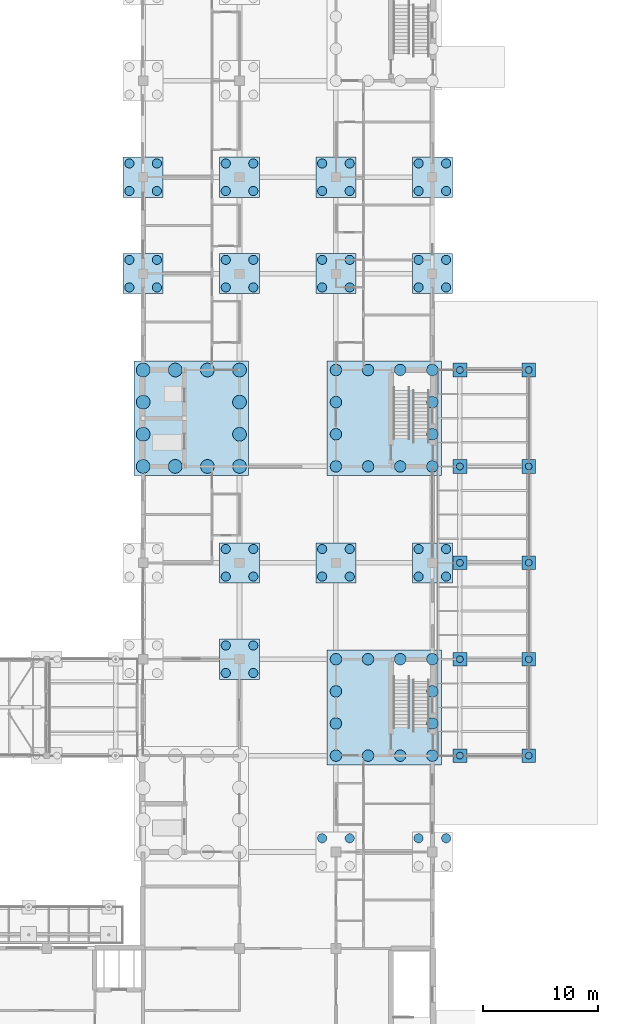
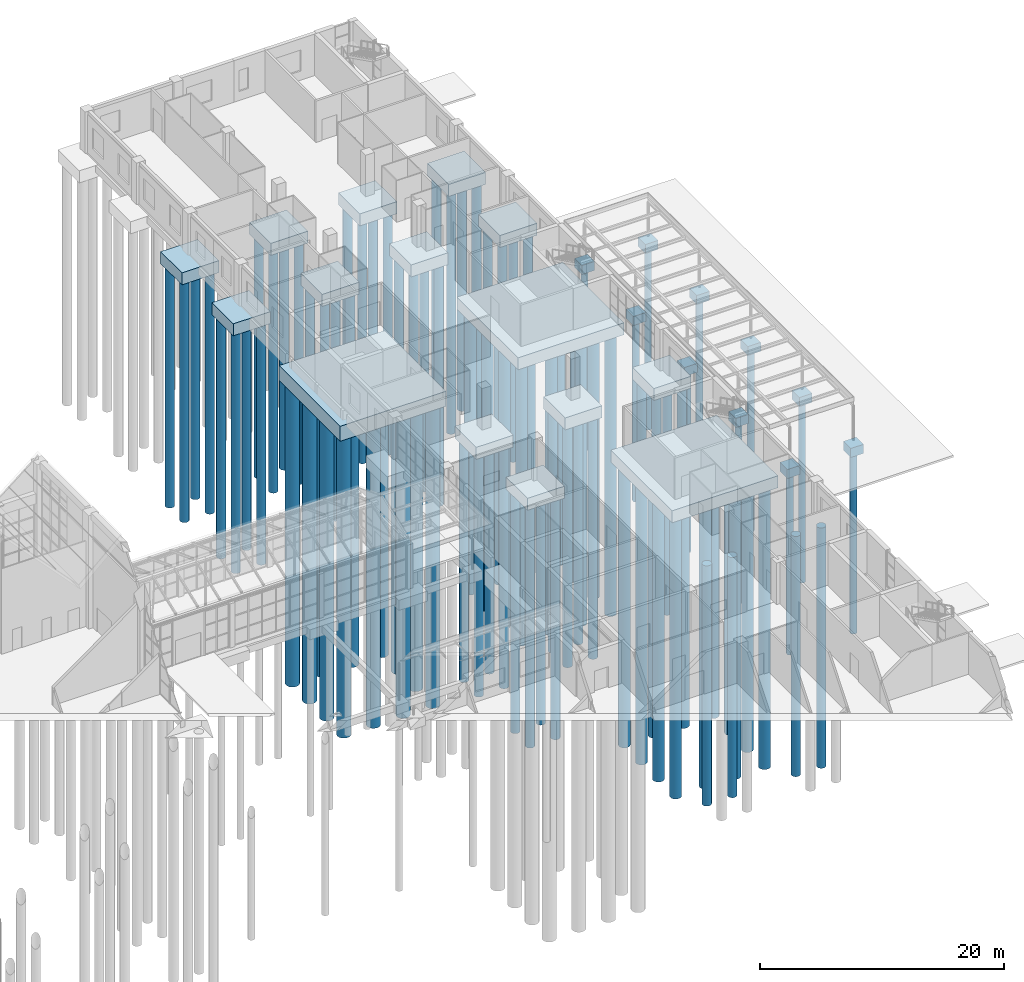
# One storey, part 3 of 138: 98 piles, 25 footings.
"""IFC4 building model written with IfcOpenShell, lengths in metres."""

import ifcopenshell
import ifcopenshell.guid

model = None  # the IFC model being written
_history = None  # IfcOwnerHistory: only IFC2X3 demands one
_inside = {}  # id of a spatial element -> (the spatial element, [elements in it])
_under = {}  # id of a project, library or spatial element -> (it, [spatial elements below it])
_declared = {}  # id of a project -> (the project, [libraries it declares])
_typed = {}  # id of a type object -> (the type object, [elements of that type])
_made_of = {}  # id of a material, layer set ... -> (it, [elements and type objects made of it])


def new_model(schema):
    """Start an empty IFC model of exactly this schema.

    Asked for "IFC4X3", IfcOpenShell would pick the latest addendum, in which some entities
    have other attributes; the version numbers below select the first issue.
    IFC2X3 requires an IfcOwnerHistory on every rooted entity: one is made here for all.
    """
    global model, _history
    if schema == "IFC4X3":
        model = ifcopenshell.file(schema_version=(4, 3, 0, 0))
    else:
        model = ifcopenshell.file(schema=schema)
    _inside.clear()
    _under.clear()
    _declared.clear()
    _typed.clear()
    _made_of.clear()
    _history = None
    if model.schema == "IFC2X3":
        org = make("IfcOrganization", Name="unknown")
        user = make(
            "IfcPersonAndOrganization",
            ThePerson=make("IfcPerson", FamilyName="unknown"),
            TheOrganization=org,
        )
        app = make(
            "IfcApplication",
            ApplicationDeveloper=org,
            Version="unknown",
            ApplicationFullName="unknown",
            ApplicationIdentifier="unknown",
        )
        _history = make(
            "IfcOwnerHistory",
            OwningUser=user,
            OwningApplication=app,
            ChangeAction="ADDED",
            CreationDate=0,
        )
    return model


def make(cls, **values):
    """One entity of the class cls with the attributes given. An attribute that is None is left unset."""
    return model.create_entity(
        cls, **{name: value for name, value in values.items() if value is not None}
    )


def rooted(cls, **values):
    """An entity with a GlobalId (a new one), such as an element, a storey or a relation."""
    return make(cls, GlobalId=ifcopenshell.guid.new(), OwnerHistory=_history, **values)


def si_unit(unit_type, name, prefix=None):
    """IfcSIUnit, for example si_unit("LENGTHUNIT", "METRE", prefix="MILLI")."""
    return make("IfcSIUnit", UnitType=unit_type, Prefix=prefix, Name=name)


def assignment(units):
    """IfcUnitAssignment: the units of a project."""
    return None if units is None else make("IfcUnitAssignment", Units=units)


def point(xyz):
    """IfcCartesianPoint."""
    return None if xyz is None else make("IfcCartesianPoint", Coordinates=xyz)


def direction(xyz):
    """IfcDirection."""
    return None if xyz is None else make("IfcDirection", DirectionRatios=xyz)


def frame(location, z_axis=None, x_axis=None):
    """IfcAxis2Placement3D, a coordinate frame: its origin and axes. An axis left out is left unset."""
    return make(
        "IfcAxis2Placement3D",
        Location=point(location),
        Axis=direction(z_axis),
        RefDirection=direction(x_axis),
    )


def frame_2d(location, x_axis=None):
    """IfcAxis2Placement2D, a coordinate frame in the plane: its origin and x axis."""
    return make(
        "IfcAxis2Placement2D", Location=point(location), RefDirection=direction(x_axis)
    )


def origin():
    """The frame at (0, 0, 0) with its axes left unset."""
    return frame((0.0, 0.0, 0.0))


def origin_2d():
    """The frame at (0, 0) in the plane with its x axis left unset."""
    return frame_2d((0.0, 0.0))


def place(relative_to, where):
    """IfcLocalPlacement: puts the frame where relative to a parent placement (None: the world)."""
    return make(
        "IfcLocalPlacement", PlacementRelTo=relative_to, RelativePlacement=where
    )


def context(
    kind, dimensions, precision=None, world=None, true_north=None, identifier=None
):
    """IfcGeometricRepresentationContext, for example the 3D "Model" context."""
    return make(
        "IfcGeometricRepresentationContext",
        ContextIdentifier=identifier,
        ContextType=kind,
        CoordinateSpaceDimension=dimensions,
        Precision=precision,
        WorldCoordinateSystem=world,
        TrueNorth=true_north,
    )


def subcontext(parent, identifier, kind, view, scale=None):
    """IfcGeometricRepresentationSubContext, for example "Body" below "Model"."""
    return make(
        "IfcGeometricRepresentationSubContext",
        ContextIdentifier=identifier,
        ContextType=kind,
        ParentContext=parent,
        TargetScale=scale,
        TargetView=view,
    )


def project(units=None, contexts=None):
    """IfcProject with its units and contexts."""
    return rooted(
        "IfcProject",
        Name="project",
        RepresentationContexts=contexts,
        UnitsInContext=assignment(units),
    )


def spatial(cls, under=None, at=None, **own):
    """A site, building, storey or space (cls), placed at a placement, below another one or the project."""
    s = rooted(cls, ObjectPlacement=at, **own)
    if under is not None:
        _under.setdefault(under.id(), (under, []))[1].append(s)
    return s


def profile(cls, at=None, kind="AREA", **sizes):
    """A parametric profile (cls). Its sizes go by their IFC names, for example OverallWidth=200.0."""
    return make(cls, ProfileType=kind, Position=at, **sizes)


def rectangle(**sizes):
    """IfcRectangleProfileDef."""
    return profile("IfcRectangleProfileDef", **sizes)


def circle(**sizes):
    """IfcCircleProfileDef."""
    return profile("IfcCircleProfileDef", **sizes)


def extrude(swept, where, along, depth):
    """IfcExtrudedAreaSolid: the profile swept, set in the frame where, extruded along a direction by depth."""
    return make(
        "IfcExtrudedAreaSolid",
        SweptArea=swept,
        Position=where,
        ExtrudedDirection=direction(along),
        Depth=depth,
    )


def shape(context_of_items, identifier, shape_type, items):
    """IfcShapeRepresentation: the items that make up one representation, for example the "Body"."""
    return make(
        "IfcShapeRepresentation",
        ContextOfItems=context_of_items,
        RepresentationIdentifier=identifier,
        RepresentationType=shape_type,
        Items=items,
    )


def material(Name=None, Category=None):
    """IfcMaterial."""
    return make("IfcMaterial", Name=Name, Category=Category)


def material_profile(
    of_material, cross_section, Name=None, Category=None, Priority=None
):
    """IfcMaterialProfile: a cross section and its material."""
    return make(
        "IfcMaterialProfile",
        Name=Name,
        Material=of_material,
        Profile=cross_section,
        Priority=Priority,
        Category=Category,
    )


def profile_set(profiles, Name=None, composite=None):
    """IfcMaterialProfileSet."""
    return make(
        "IfcMaterialProfileSet",
        Name=Name,
        MaterialProfiles=profiles,
        CompositeProfile=composite,
    )


def made_of(thing, what):
    """Note that an element or type object is made of a material, layer set ...; save() writes the relation."""
    if what is not None:
        _made_of.setdefault(what.id(), (what, []))[1].append(thing)
    return thing


def type_object(cls, material=None, **own):
    """A type object (cls), such as IfcWallType, which elements share."""
    return made_of(rooted(cls, **own), material)


def element(
    cls,
    number,
    at=None,
    inside=None,
    cuts=None,
    type_object=None,
    material=None,
    context=None,
    identifier="Body",
    shape_type=None,
    held_by="IfcProductDefinitionShape",
    body=None,
    shapes=None,
    **own,
):
    """One element of the class cls, such as IfcWall. Its Tag is "e" and its number.

    at: its placement. inside: the storey or other place that contains it. cuts: it is an
    opening in that element (IfcRelVoidsElement). A single representation is given by context,
    identifier, shape_type and body (its items); several are given by shapes. held_by: the class
    of the entity that holds the representations. save() writes the other relations.
    """
    e = rooted(cls, Tag="e%d" % number, ObjectPlacement=at, **own)
    if body is not None:
        shapes = [shape(context, identifier, shape_type, body)]
    if shapes is not None:
        e.Representation = make(held_by, Representations=shapes)
    if inside is not None:
        _inside.setdefault(inside.id(), (inside, []))[1].append(e)
    if cuts is not None:
        rooted(
            "IfcRelVoidsElement", RelatingBuildingElement=cuts, RelatedOpeningElement=e
        )
    if type_object is not None:
        _typed.setdefault(type_object.id(), (type_object, []))[1].append(e)
    return made_of(e, material)


def aggregate(whole, parts):
    """IfcRelAggregates: a whole, such as a stair, and the parts it consists of."""
    return rooted("IfcRelAggregates", RelatingObject=whole, RelatedObjects=parts)


def save(model, path):
    """Write the relations noted so far, then the file.

    IfcRelAggregates (storeys below a building ...), IfcRelContainedInSpatialStructure (elements
    in a storey), IfcRelDefinesByType, IfcRelAssociatesMaterial and IfcRelDeclares: one each for
    every whole, place, type object, material and project.
    """
    for whole, parts in _under.values():
        aggregate(whole, parts)
    for where, things in _inside.values():
        rooted(
            "IfcRelContainedInSpatialStructure",
            RelatedElements=things,
            RelatingStructure=where,
        )
    for kind, things in _typed.values():
        rooted("IfcRelDefinesByType", RelatedObjects=things, RelatingType=kind)
    for what, things in _made_of.values():
        rooted("IfcRelAssociatesMaterial", RelatedObjects=things, RelatingMaterial=what)
    for by, libraries in _declared.values():
        rooted("IfcRelDeclares", RelatingContext=by, RelatedDefinitions=libraries)
    model.write(path)


model = new_model("IFC4")

# Units and contexts
model_context = context("Model", 3, precision=1e-05, world=origin(), true_north=direction((0.0, 1.0)))
body_context = subcontext(model_context, "Body", "Model", "MODEL_VIEW")
ifc_project = project(units=[si_unit("LENGTHUNIT", "METRE"), si_unit("AREAUNIT", "SQUARE_METRE"), si_unit("VOLUMEUNIT", "CUBIC_METRE"), si_unit("PLANEANGLEUNIT", "RADIAN"), si_unit("MASSUNIT", "GRAM", prefix="KILO")], contexts=[model_context])

# Site, building, storey
site_placement = place(None, origin())
site = spatial("IfcSite", under=ifc_project, at=site_placement, CompositionType="ELEMENT")
building_placement = place(site_placement, origin())
building = spatial("IfcBuilding", under=site, at=building_placement, Name="Yavir Park General Hospital", CompositionType="ELEMENT")
storey_placement = place(building_placement, origin())
storey = spatial("IfcBuildingStorey", under=building, at=storey_placement, Name="L00", CompositionType="ELEMENT", Elevation=0.0)

# Piles
ifc_material_1 = material(Name="Concrete C35/45", Category="concrete")
ifc_material_profile_1 = material_profile(ifc_material_1, circle(Radius=0.5, at=origin_2d()), Name="D1000")
ifc_profile_set_1 = profile_set([ifc_material_profile_1], Name="Concrete C35/45")
pile_type_1 = type_object("IfcPileType", Name="BORED PILE D1000", PredefinedType="BORED", material=ifc_profile_set_1)
for number, where, z_axis, x_axis, name in (
    (1, (159.60009765625, 50.39990234375, -1.64990234375), (0.0, 0.0, -1.0), (1.0, 0.0, 0.0), "P:L00:ES1:00"),
    (2, (162.39990234375, 50.39990234375, -1.64990234375), (0.0, 0.0, -1.0), (1.0, 0.0, 0.0), "P:L00:ES1:01"),
    (3, (165.199951171875, 50.39990234375, -1.64990234375), (0.0, 0.0, -1.0), (1.0, 0.0, 0.0), "P:L00:ES1:02"),
    (4, (168.0, 50.39990234375, -1.64990234375), (0.0, 0.0, -1.0), (1.0, 0.0, 0.0), "P:L00:ES1:03"),
    (5, (159.60009765625, 53.199951171875, -1.64990234375), (0.0, 0.0, -1.0), (1.0, 0.0, 0.0), "P:L00:ES1:04"),
    (6, (168.0, 53.199951171875, -1.64990234375), (0.0, 0.0, -1.0), (1.0, 0.0, 0.0), "P:L00:ES1:05"),
    (7, (159.60009765625, 56.0, -1.64990234375), (0.0, 0.0, -1.0), (1.0, 0.0, 0.0), "P:L00:ES1:06"),
    (8, (168.0, 56.0, -1.64990234375), (0.0, 0.0, -1.0), (1.0, 0.0, 0.0), "P:L00:ES1:07"),
    (9, (159.60009765625, 58.800048828125, -1.64990234375), (0.0, 0.0, -1.0), (1.0, 0.0, 0.0), "P:L00:ES1:08"),
    (10, (162.39990234375, 58.800048828125, -1.64990234375), (0.0, 0.0, -1.0), (1.0, 0.0, 0.0), "P:L00:ES1:09"),
    (11, (165.199951171875, 58.800048828125, -1.64990234375), (0.0, 0.0, -1.0), (1.0, 0.0, 0.0), "P:L00:ES1:10"),
    (12, (168.0, 58.800048828125, -1.64990234375), (0.0, 0.0, -1.0), (1.0, 0.0, 0.0), "P:L00:ES1:11"),
    (13, (159.60009765625, 75.60009765625, -1.64990234375), (0.0, 0.0, -1.0), (1.0, 0.0, 0.0), "P:L00:ES2:00"),
    (14, (162.39990234375, 75.60009765625, -1.64990234375), (0.0, 0.0, -1.0), (1.0, 0.0, 0.0), "P:L00:ES2:01"),
    (15, (165.199951171875, 75.60009765625, -1.64990234375), (0.0, 0.0, -1.0), (1.0, 0.0, 0.0), "P:L00:ES2:02"),
    (16, (168.0, 75.60009765625, -1.64990234375), (0.0, 0.0, -1.0), (1.0, 0.0, 0.0), "P:L00:ES2:03"),
    (17, (159.60009765625, 78.39990234375, -1.64990234375), (0.0, 0.0, -1.0), (1.0, 0.0, 0.0), "P:L00:ES2:04"),
    (18, (168.0, 78.39990234375, -1.64990234375), (0.0, 0.0, -1.0), (1.0, 0.0, 0.0), "P:L00:ES2:05"),
    (19, (159.60009765625, 81.199951171875, -1.64990234375), (0.0, 0.0, -1.0), (1.0, 0.0, 0.0), "P:L00:ES2:06"),
    (20, (168.0, 81.199951171875, -1.64990234375), (0.0, 0.0, -1.0), (1.0, 0.0, 0.0), "P:L00:ES2:07"),
    (21, (159.60009765625, 84.0, -1.64990234375), (0.0, 0.0, -1.0), (1.0, 0.0, 0.0), "P:L00:ES2:08"),
    (22, (162.39990234375, 84.0, -1.64990234375), (0.0, 0.0, -1.0), (1.0, 0.0, 0.0), "P:L00:ES2:09"),
    (23, (165.199951171875, 84.0, -1.64990234375), (0.0, 0.0, -1.0), (1.0, 0.0, 0.0), "P:L00:ES2:10"),
    (24, (168.0, 84.0, -1.64990234375), (0.0, 0.0, -1.0), (1.0, 0.0, 0.0), "P:L00:ES2:11"),
):
    element("IfcPile", number, at=place(storey_placement, frame(where, z_axis=z_axis, x_axis=x_axis)), inside=storey, type_object=pile_type_1, Name=name, PredefinedType="BORED", context=body_context, shape_type="SweptSolid", body=[
        extrude(circle(Radius=0.5, at=origin_2d()), origin(), (0.0, 0.0, 1.0), 28.0),
    ])
ifc_material_2 = material(Name="Concrete C35/45", Category="concrete")
ifc_material_profile_2 = material_profile(ifc_material_2, circle(Radius=0.60009765625, at=origin_2d()), Name="D1200")
ifc_profile_set_2 = profile_set([ifc_material_profile_2], Name="Concrete C35/45")
pile_type_2 = type_object("IfcPileType", Name="BORED PILE D1200", PredefinedType="BORED", material=ifc_profile_set_2)
for number, where, z_axis, x_axis, name in (
    (25, (142.800048828125, 75.60009765625, -2.89990234375), (0.0, 0.0, -1.0), (1.0, 0.0, 0.0), "P:L00:HL:00"),
    (26, (145.60009765625, 75.60009765625, -2.89990234375), (0.0, 0.0, -1.0), (1.0, 0.0, 0.0), "P:L00:HL:01"),
    (27, (148.39990234375, 75.60009765625, -2.89990234375), (0.0, 0.0, -1.0), (1.0, 0.0, 0.0), "P:L00:HL:02"),
    (28, (151.199951171875, 75.60009765625, -2.89990234375), (0.0, 0.0, -1.0), (1.0, 0.0, 0.0), "P:L00:HL:03"),
    (29, (142.800048828125, 78.39990234375, -2.89990234375), (0.0, 0.0, -1.0), (1.0, 0.0, 0.0), "P:L00:HL:04"),
    (30, (151.199951171875, 78.39990234375, -2.89990234375), (0.0, 0.0, -1.0), (1.0, 0.0, 0.0), "P:L00:HL:05"),
    (31, (142.800048828125, 81.199951171875, -2.89990234375), (0.0, 0.0, -1.0), (1.0, 0.0, 0.0), "P:L00:HL:06"),
    (32, (151.199951171875, 81.199951171875, -2.89990234375), (0.0, 0.0, -1.0), (1.0, 0.0, 0.0), "P:L00:HL:07"),
    (33, (142.800048828125, 84.0, -2.89990234375), (0.0, 0.0, -1.0), (1.0, 0.0, 0.0), "P:L00:HL:08"),
    (34, (145.60009765625, 84.0, -2.89990234375), (0.0, 0.0, -1.0), (1.0, 0.0, 0.0), "P:L00:HL:09"),
    (35, (148.39990234375, 84.0, -2.89990234375), (0.0, 0.0, -1.0), (1.0, 0.0, 0.0), "P:L00:HL:10"),
    (36, (151.199951171875, 84.0, -2.89990234375), (0.0, 0.0, -1.0), (1.0, 0.0, 0.0), "P:L00:HL:11"),
):
    element("IfcPile", number, at=place(storey_placement, frame(where, z_axis=z_axis, x_axis=x_axis)), inside=storey, type_object=pile_type_2, Name=name, PredefinedType="BORED", context=body_context, shape_type="SweptSolid", body=[
        extrude(circle(Radius=0.60009765625, at=origin_2d()), origin(), (0.0, 0.0, 1.0), 30.0),
    ])
ifc_material_3 = material(Name="Concrete C35/45", Category="concrete")
ifc_material_profile_3 = material_profile(ifc_material_3, circle(Radius=0.300048828125, at=origin_2d()), Name="D600")
ifc_profile_set_3 = profile_set([ifc_material_profile_3], Name="Concrete C35/45")
pile_type_3 = type_object("IfcPileType", Name="BORED PILE D600", PredefinedType="BORED", material=ifc_profile_set_3)
for number, where, z_axis, x_axis, name in (
    (37, (170.39990234375, 50.39990234375, -1.199951171875), (0.0, 0.0, -1.0), (1.0, 0.0, 0.0), "P:AMB:C00"),
    (38, (170.39990234375, 58.800048828125, -1.199951171875), (0.0, 0.0, -1.0), (1.0, 0.0, 0.0), "P:AMB:C01"),
    (39, (170.39990234375, 67.199951171875, -1.199951171875), (0.0, 0.0, -1.0), (1.0, 0.0, 0.0), "P:AMB:C02"),
    (40, (170.39990234375, 75.60009765625, -1.199951171875), (0.0, 0.0, -1.0), (1.0, 0.0, 0.0), "P:AMB:C03"),
    (41, (170.39990234375, 84.0, -1.199951171875), (0.0, 0.0, -1.0), (1.0, 0.0, 0.0), "P:AMB:C04"),
    (42, (176.39990234375, 50.39990234375, -1.199951171875), (0.0, 0.0, -1.0), (1.0, 0.0, 0.0), "P:AMB:C10"),
    (43, (176.39990234375, 58.800048828125, -1.199951171875), (0.0, 0.0, -1.0), (1.0, 0.0, 0.0), "P:AMB:C11"),
    (44, (176.39990234375, 67.199951171875, -1.199951171875), (0.0, 0.0, -1.0), (1.0, 0.0, 0.0), "P:AMB:C12"),
    (45, (176.39990234375, 75.60009765625, -1.199951171875), (0.0, 0.0, -1.0), (1.0, 0.0, 0.0), "P:AMB:C13"),
    (46, (176.39990234375, 84.0, -1.199951171875), (0.0, 0.0, -1.0), (1.0, 0.0, 0.0), "P:AMB:C14"),
):
    element("IfcPile", number, at=place(storey_placement, frame(where, z_axis=z_axis, x_axis=x_axis)), inside=storey, type_object=pile_type_3, Name=name, PredefinedType="BORED", context=body_context, shape_type="SweptSolid", body=[
        extrude(circle(Radius=0.300048828125, at=origin_2d()), origin(), (0.0, 0.0, 1.0), 18.0),
    ])
ifc_material_4 = material(Name="Concrete C35/45", Category="concrete")
ifc_material_profile_4 = material_profile(ifc_material_4, circle(Radius=0.39990234375, at=origin_2d()), Name="D800")
ifc_profile_set_4 = profile_set([ifc_material_profile_4], Name="Concrete C35/45")
pile_type_4 = type_object("IfcPileType", Name="BORED PILE D800", PredefinedType="BORED", material=ifc_profile_set_4)
for number, where, z_axis, x_axis, name in (
    (47, (158.39990234375, 43.199951171875, -1.64990234375), (0.0, 0.0, -1.0), (1.0, 0.0, 0.0), "P:L00:20F:2"),
    (48, (160.800048828125, 43.199951171875, -1.64990234375), (0.0, 0.0, -1.0), (1.0, 0.0, 0.0), "P:L00:20F:3"),
    (49, (166.800048828125, 43.199951171875, -1.64990234375), (0.0, 0.0, -1.0), (1.0, 0.0, 0.0), "P:L00:21F:2"),
    (50, (169.199951171875, 43.199951171875, -1.64990234375), (0.0, 0.0, -1.0), (1.0, 0.0, 0.0), "P:L00:21F:3"),
    (51, (150.0, 57.60009765625, -1.64990234375), (0.0, 0.0, -1.0), (1.0, 0.0, 0.0), "P:L00:19H:0"),
    (52, (152.39990234375, 57.60009765625, -1.64990234375), (0.0, 0.0, -1.0), (1.0, 0.0, 0.0), "P:L00:19H:1"),
    (53, (150.0, 60.0, -1.64990234375), (0.0, 0.0, -1.0), (1.0, 0.0, 0.0), "P:L00:19H:2"),
    (54, (152.39990234375, 60.0, -1.64990234375), (0.0, 0.0, -1.0), (1.0, 0.0, 0.0), "P:L00:19H:3"),
    (55, (150.0, 66.0, -1.64990234375), (0.0, 0.0, -1.0), (1.0, 0.0, 0.0), "P:L00:19J:0"),
    (56, (152.39990234375, 66.0, -1.64990234375), (0.0, 0.0, -1.0), (1.0, 0.0, 0.0), "P:L00:19J:1"),
    (57, (150.0, 68.39990234375, -1.64990234375), (0.0, 0.0, -1.0), (1.0, 0.0, 0.0), "P:L00:19J:2"),
    (58, (152.39990234375, 68.39990234375, -1.64990234375), (0.0, 0.0, -1.0), (1.0, 0.0, 0.0), "P:L00:19J:3"),
    (59, (158.39990234375, 66.0, -1.64990234375), (0.0, 0.0, -1.0), (1.0, 0.0, 0.0), "P:L00:20J:0"),
    (60, (160.800048828125, 66.0, -1.64990234375), (0.0, 0.0, -1.0), (1.0, 0.0, 0.0), "P:L00:20J:1"),
    (61, (158.39990234375, 68.39990234375, -1.64990234375), (0.0, 0.0, -1.0), (1.0, 0.0, 0.0), "P:L00:20J:2"),
    (62, (160.800048828125, 68.39990234375, -1.64990234375), (0.0, 0.0, -1.0), (1.0, 0.0, 0.0), "P:L00:20J:3"),
    (63, (166.800048828125, 66.0, -1.64990234375), (0.0, 0.0, -1.0), (1.0, 0.0, 0.0), "P:L00:21J:0"),
    (64, (169.199951171875, 66.0, -1.64990234375), (0.0, 0.0, -1.0), (1.0, 0.0, 0.0), "P:L00:21J:1"),
    (65, (166.800048828125, 68.39990234375, -1.64990234375), (0.0, 0.0, -1.0), (1.0, 0.0, 0.0), "P:L00:21J:2"),
    (66, (169.199951171875, 68.39990234375, -1.64990234375), (0.0, 0.0, -1.0), (1.0, 0.0, 0.0), "P:L00:21J:3"),
    (67, (141.60009765625, 91.199951171875, -1.64990234375), (0.0, 0.0, -1.0), (1.0, 0.0, 0.0), "P:L00:18M:0"),
    (68, (144.0, 91.199951171875, -1.64990234375), (0.0, 0.0, -1.0), (1.0, 0.0, 0.0), "P:L00:18M:1"),
    (69, (141.60009765625, 93.60009765625, -1.64990234375), (0.0, 0.0, -1.0), (1.0, 0.0, 0.0), "P:L00:18M:2"),
    (70, (144.0, 93.60009765625, -1.64990234375), (0.0, 0.0, -1.0), (1.0, 0.0, 0.0), "P:L00:18M:3"),
    (71, (150.0, 91.199951171875, -1.64990234375), (0.0, 0.0, -1.0), (1.0, 0.0, 0.0), "P:L00:19M:0"),
    (72, (152.39990234375, 91.199951171875, -1.64990234375), (0.0, 0.0, -1.0), (1.0, 0.0, 0.0), "P:L00:19M:1"),
    (73, (150.0, 93.60009765625, -1.64990234375), (0.0, 0.0, -1.0), (1.0, 0.0, 0.0), "P:L00:19M:2"),
    (74, (152.39990234375, 93.60009765625, -1.64990234375), (0.0, 0.0, -1.0), (1.0, 0.0, 0.0), "P:L00:19M:3"),
    (75, (158.39990234375, 91.199951171875, -1.64990234375), (0.0, 0.0, -1.0), (1.0, 0.0, 0.0), "P:L00:20M:0"),
    (76, (160.800048828125, 91.199951171875, -1.64990234375), (0.0, 0.0, -1.0), (1.0, 0.0, 0.0), "P:L00:20M:1"),
    (77, (158.39990234375, 93.60009765625, -1.64990234375), (0.0, 0.0, -1.0), (1.0, 0.0, 0.0), "P:L00:20M:2"),
    (78, (160.800048828125, 93.60009765625, -1.64990234375), (0.0, 0.0, -1.0), (1.0, 0.0, 0.0), "P:L00:20M:3"),
    (79, (166.800048828125, 91.199951171875, -1.64990234375), (0.0, 0.0, -1.0), (1.0, 0.0, 0.0), "P:L00:21M:0"),
    (80, (169.199951171875, 91.199951171875, -1.64990234375), (0.0, 0.0, -1.0), (1.0, 0.0, 0.0), "P:L00:21M:1"),
    (81, (166.800048828125, 93.60009765625, -1.64990234375), (0.0, 0.0, -1.0), (1.0, 0.0, 0.0), "P:L00:21M:2"),
    (82, (169.199951171875, 93.60009765625, -1.64990234375), (0.0, 0.0, -1.0), (1.0, 0.0, 0.0), "P:L00:21M:3"),
    (83, (141.60009765625, 99.60009765625, -1.64990234375), (0.0, 0.0, -1.0), (1.0, 0.0, 0.0), "P:L00:18N:0"),
    (84, (144.0, 99.60009765625, -1.64990234375), (0.0, 0.0, -1.0), (1.0, 0.0, 0.0), "P:L00:18N:1"),
    (85, (141.60009765625, 102.0, -1.64990234375), (0.0, 0.0, -1.0), (1.0, 0.0, 0.0), "P:L00:18N:2"),
    (86, (144.0, 102.0, -1.64990234375), (0.0, 0.0, -1.0), (1.0, 0.0, 0.0), "P:L00:18N:3"),
    (87, (150.0, 99.60009765625, -1.64990234375), (0.0, 0.0, -1.0), (1.0, 0.0, 0.0), "P:L00:19N:0"),
    (88, (152.39990234375, 99.60009765625, -1.64990234375), (0.0, 0.0, -1.0), (1.0, 0.0, 0.0), "P:L00:19N:1"),
    (89, (150.0, 102.0, -1.64990234375), (0.0, 0.0, -1.0), (1.0, 0.0, 0.0), "P:L00:19N:2"),
    (90, (152.39990234375, 102.0, -1.64990234375), (0.0, 0.0, -1.0), (1.0, 0.0, 0.0), "P:L00:19N:3"),
    (91, (158.39990234375, 99.60009765625, -1.64990234375), (0.0, 0.0, -1.0), (1.0, 0.0, 0.0), "P:L00:20N:0"),
    (92, (160.800048828125, 99.60009765625, -1.64990234375), (0.0, 0.0, -1.0), (1.0, 0.0, 0.0), "P:L00:20N:1"),
    (93, (158.39990234375, 102.0, -1.64990234375), (0.0, 0.0, -1.0), (1.0, 0.0, 0.0), "P:L00:20N:2"),
    (94, (160.800048828125, 102.0, -1.64990234375), (0.0, 0.0, -1.0), (1.0, 0.0, 0.0), "P:L00:20N:3"),
    (95, (166.800048828125, 99.60009765625, -1.64990234375), (0.0, 0.0, -1.0), (1.0, 0.0, 0.0), "P:L00:21N:0"),
    (96, (169.199951171875, 99.60009765625, -1.64990234375), (0.0, 0.0, -1.0), (1.0, 0.0, 0.0), "P:L00:21N:1"),
    (97, (166.800048828125, 102.0, -1.64990234375), (0.0, 0.0, -1.0), (1.0, 0.0, 0.0), "P:L00:21N:2"),
    (98, (169.199951171875, 102.0, -1.64990234375), (0.0, 0.0, -1.0), (1.0, 0.0, 0.0), "P:L00:21N:3"),
):
    element("IfcPile", number, at=place(storey_placement, frame(where, z_axis=z_axis, x_axis=x_axis)), inside=storey, type_object=pile_type_4, Name=name, PredefinedType="BORED", context=body_context, shape_type="SweptSolid", body=[
        extrude(circle(Radius=0.39990234375, at=origin_2d()), origin(), (0.0, 0.0, 1.0), 24.0),
    ])

# Footings
ifc_material_5 = material(Name="Concrete C35/45", Category="concrete")
footing_type_1 = type_object("IfcFootingType", Name="PILE CAP COLUMN 3500x3500x1200", PredefinedType="PILE_CAP", material=ifc_material_5)
for number, where, z_axis, x_axis, name in (
    (99, (151.199951171875, 58.800048828125, -1.64990234375), (0.0, 0.0, 1.0), (1.0, 0.0, 0.0), "F:L00:19H"),
    (100, (151.199951171875, 67.199951171875, -1.64990234375), (0.0, 0.0, 1.0), (1.0, 0.0, 0.0), "F:L00:19J"),
    (101, (159.60009765625, 67.199951171875, -1.64990234375), (0.0, 0.0, 1.0), (1.0, 0.0, 0.0), "F:L00:20J"),
    (102, (168.0, 67.199951171875, -1.64990234375), (0.0, 0.0, 1.0), (1.0, 0.0, 0.0), "F:L00:21J"),
    (103, (142.800048828125, 92.39990234375, -1.64990234375), (0.0, 0.0, 1.0), (1.0, 0.0, 0.0), "F:L00:18M"),
    (104, (151.199951171875, 92.39990234375, -1.64990234375), (0.0, 0.0, 1.0), (1.0, 0.0, 0.0), "F:L00:19M"),
    (105, (159.60009765625, 92.39990234375, -1.64990234375), (0.0, 0.0, 1.0), (1.0, 0.0, 0.0), "F:L00:20M"),
    (106, (168.0, 92.39990234375, -1.64990234375), (0.0, 0.0, 1.0), (1.0, 0.0, 0.0), "F:L00:21M"),
    (107, (142.800048828125, 100.800048828125, -1.64990234375), (0.0, 0.0, 1.0), (1.0, 0.0, 0.0), "F:L00:18N"),
    (108, (151.199951171875, 100.800048828125, -1.64990234375), (0.0, 0.0, 1.0), (1.0, 0.0, 0.0), "F:L00:19N"),
    (109, (159.60009765625, 100.800048828125, -1.64990234375), (0.0, 0.0, 1.0), (1.0, 0.0, 0.0), "F:L00:20N"),
    (110, (168.0, 100.800048828125, -1.64990234375), (0.0, 0.0, 1.0), (1.0, 0.0, 0.0), "F:L00:21N"),
):
    element("IfcFooting", number, at=place(storey_placement, frame(where, z_axis=z_axis, x_axis=x_axis)), inside=storey, type_object=footing_type_1, Name=name, PredefinedType="PILE_CAP", context=body_context, shape_type="SweptSolid", body=[
        extrude(rectangle(XDim=3.5, YDim=3.5, at=origin_2d()), origin(), (0.0, 0.0, 1.0), 1.199951171875),
    ])
ifc_material_6 = material(Name="Concrete C35/45", Category="concrete")
footing_type_2 = type_object("IfcFootingType", Name="PILE CAP FRAME COLUMN 1200x1200x900", PredefinedType="PILE_CAP", material=ifc_material_6)
for number, where, z_axis, x_axis, name in (
    (111, (170.39990234375, 50.39990234375, -1.199951171875), (0.0, 0.0, 1.0), (1.0, 0.0, 0.0), "F:AMB:C00"),
    (112, (170.39990234375, 58.800048828125, -1.199951171875), (0.0, 0.0, 1.0), (1.0, 0.0, 0.0), "F:AMB:C01"),
    (113, (170.39990234375, 67.199951171875, -1.199951171875), (0.0, 0.0, 1.0), (1.0, 0.0, 0.0), "F:AMB:C02"),
    (114, (170.39990234375, 75.60009765625, -1.199951171875), (0.0, 0.0, 1.0), (1.0, 0.0, 0.0), "F:AMB:C03"),
    (115, (170.39990234375, 84.0, -1.199951171875), (0.0, 0.0, 1.0), (1.0, 0.0, 0.0), "F:AMB:C04"),
    (116, (176.39990234375, 50.39990234375, -1.199951171875), (0.0, 0.0, 1.0), (1.0, 0.0, 0.0), "F:AMB:C10"),
    (117, (176.39990234375, 58.800048828125, -1.199951171875), (0.0, 0.0, 1.0), (1.0, 0.0, 0.0), "F:AMB:C11"),
    (118, (176.39990234375, 67.199951171875, -1.199951171875), (0.0, 0.0, 1.0), (1.0, 0.0, 0.0), "F:AMB:C12"),
    (119, (176.39990234375, 75.60009765625, -1.199951171875), (0.0, 0.0, 1.0), (1.0, 0.0, 0.0), "F:AMB:C13"),
    (120, (176.39990234375, 84.0, -1.199951171875), (0.0, 0.0, 1.0), (1.0, 0.0, 0.0), "F:AMB:C14"),
):
    element("IfcFooting", number, at=place(storey_placement, frame(where, z_axis=z_axis, x_axis=x_axis)), inside=storey, type_object=footing_type_2, Name=name, PredefinedType="PILE_CAP", context=body_context, shape_type="SweptSolid", body=[
        extrude(rectangle(XDim=1.199951171875, YDim=1.199951171875, at=origin_2d()), origin(), (0.0, 0.0, 1.0), 0.89990234375),
    ])
ifc_material_7 = material(Name="Concrete C35/45", Category="concrete")
footing_type_3 = type_object("IfcFootingType", Name="PILE CAP LIFT PIT 10000x10000x1500", PredefinedType="PILE_CAP", material=ifc_material_7)
footing_placement = place(storey_placement, frame((147.0, 79.800048828125, -2.89990234375), z_axis=(0.0, 0.0, 1.0), x_axis=(1.0, 0.0, 0.0)))
element("IfcFooting", 121, at=footing_placement, inside=storey, type_object=footing_type_3, Name="F:L00:HL", PredefinedType="PILE_CAP", context=body_context, shape_type="SweptSolid", body=[
    extrude(rectangle(XDim=10.0, YDim=10.0, at=origin_2d()), origin(), (0.0, 0.0, 1.0), 1.5),
])
ifc_material_8 = material(Name="Concrete C35/45", Category="concrete")
footing_type_4 = type_object("IfcFootingType", Name="PILE CAP STAIR CORE 10000x10000x1200", PredefinedType="PILE_CAP", material=ifc_material_8)
for number, where, z_axis, x_axis, name in (
    (122, (163.800048828125, 54.60009765625, -1.64990234375), (0.0, 0.0, 1.0), (1.0, 0.0, 0.0), "F:L00:ES1"),
    (123, (163.800048828125, 79.800048828125, -1.64990234375), (0.0, 0.0, 1.0), (1.0, 0.0, 0.0), "F:L00:ES2"),
):
    element("IfcFooting", number, at=place(storey_placement, frame(where, z_axis=z_axis, x_axis=x_axis)), inside=storey, type_object=footing_type_4, Name=name, PredefinedType="PILE_CAP", context=body_context, shape_type="SweptSolid", body=[
        extrude(rectangle(XDim=10.0, YDim=10.0, at=origin_2d()), origin(), (0.0, 0.0, 1.0), 1.199951171875),
    ])

save(model, "model.ifc")
